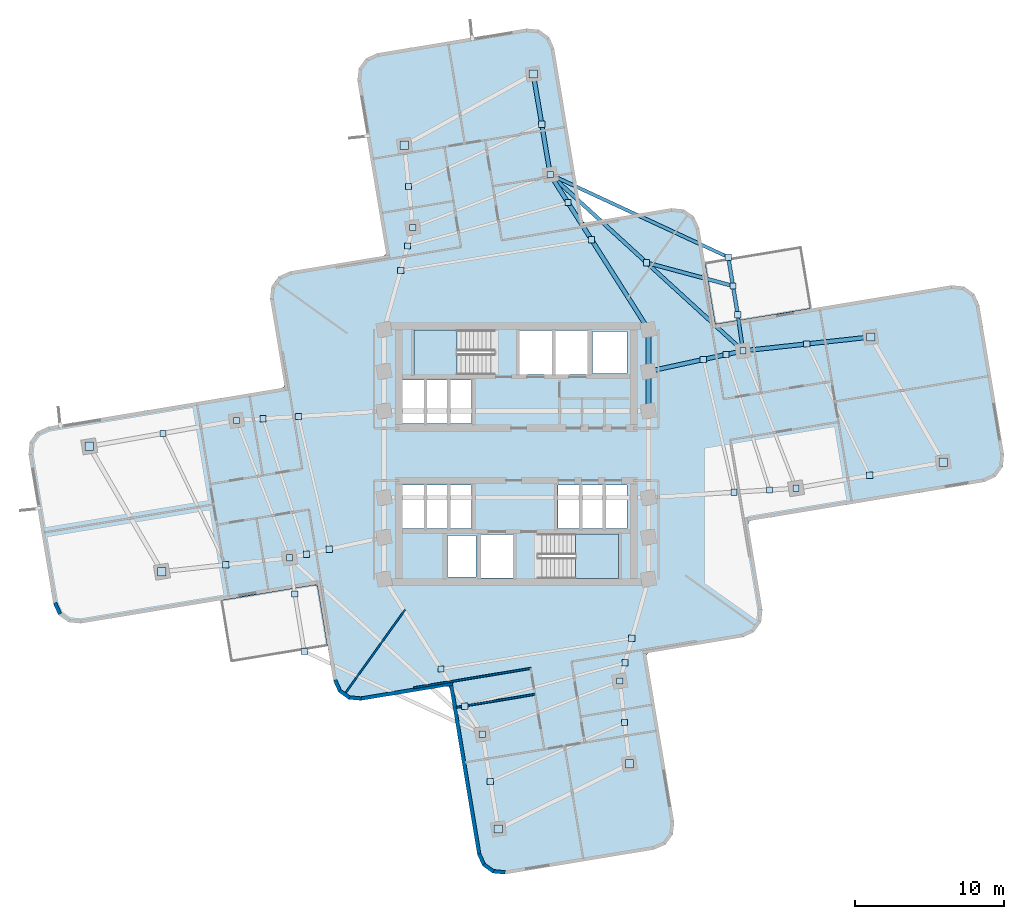
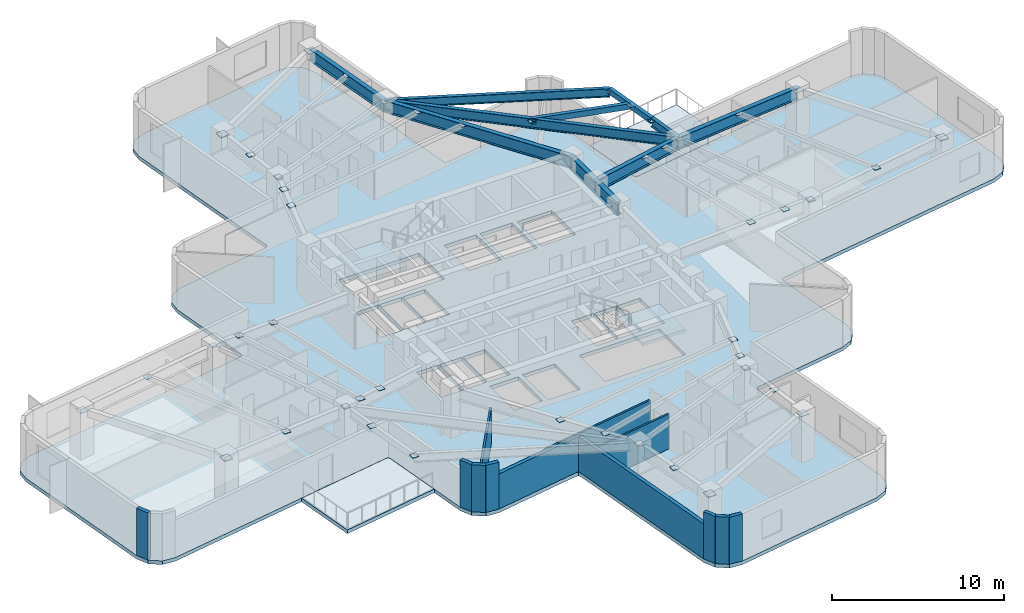
# One storey, part 2 of 9: 46 plates, 12 walls, 11 beams, 5 slabs, 2 elements without a shape of their own.
"""IFC4 building model written with IfcOpenShell, lengths in metres."""

import ifcopenshell
import ifcopenshell.guid

model = None  # the IFC model being written
_history = None  # IfcOwnerHistory: only IFC2X3 demands one
_inside = {}  # id of a spatial element -> (the spatial element, [elements in it])
_under = {}  # id of a project, library or spatial element -> (it, [spatial elements below it])
_declared = {}  # id of a project -> (the project, [libraries it declares])
_typed = {}  # id of a type object -> (the type object, [elements of that type])
_made_of = {}  # id of a material, layer set ... -> (it, [elements and type objects made of it])


def new_model(schema):
    """Start an empty IFC model of exactly this schema.

    Asked for "IFC4X3", IfcOpenShell would pick the latest addendum, in which some entities
    have other attributes; the version numbers below select the first issue.
    IFC2X3 requires an IfcOwnerHistory on every rooted entity: one is made here for all.
    """
    global model, _history
    if schema == "IFC4X3":
        model = ifcopenshell.file(schema_version=(4, 3, 0, 0))
    else:
        model = ifcopenshell.file(schema=schema)
    _inside.clear()
    _under.clear()
    _declared.clear()
    _typed.clear()
    _made_of.clear()
    _history = None
    if model.schema == "IFC2X3":
        org = make("IfcOrganization", Name="unknown")
        user = make(
            "IfcPersonAndOrganization",
            ThePerson=make("IfcPerson", FamilyName="unknown"),
            TheOrganization=org,
        )
        app = make(
            "IfcApplication",
            ApplicationDeveloper=org,
            Version="unknown",
            ApplicationFullName="unknown",
            ApplicationIdentifier="unknown",
        )
        _history = make(
            "IfcOwnerHistory",
            OwningUser=user,
            OwningApplication=app,
            ChangeAction="ADDED",
            CreationDate=0,
        )
    return model


def make(cls, **values):
    """One entity of the class cls with the attributes given. An attribute that is None is left unset."""
    return model.create_entity(
        cls, **{name: value for name, value in values.items() if value is not None}
    )


def rooted(cls, **values):
    """An entity with a GlobalId (a new one), such as an element, a storey or a relation."""
    return make(cls, GlobalId=ifcopenshell.guid.new(), OwnerHistory=_history, **values)


def si_unit(unit_type, name, prefix=None):
    """IfcSIUnit, for example si_unit("LENGTHUNIT", "METRE", prefix="MILLI")."""
    return make("IfcSIUnit", UnitType=unit_type, Prefix=prefix, Name=name)


def assignment(units):
    """IfcUnitAssignment: the units of a project."""
    return None if units is None else make("IfcUnitAssignment", Units=units)


def point(xyz):
    """IfcCartesianPoint."""
    return None if xyz is None else make("IfcCartesianPoint", Coordinates=xyz)


def direction(xyz):
    """IfcDirection."""
    return None if xyz is None else make("IfcDirection", DirectionRatios=xyz)


def frame(location, z_axis=None, x_axis=None):
    """IfcAxis2Placement3D, a coordinate frame: its origin and axes. An axis left out is left unset."""
    return make(
        "IfcAxis2Placement3D",
        Location=point(location),
        Axis=direction(z_axis),
        RefDirection=direction(x_axis),
    )


def frame_2d(location, x_axis=None):
    """IfcAxis2Placement2D, a coordinate frame in the plane: its origin and x axis."""
    return make(
        "IfcAxis2Placement2D", Location=point(location), RefDirection=direction(x_axis)
    )


def origin():
    """The frame at (0, 0, 0) with its axes left unset."""
    return frame((0.0, 0.0, 0.0))


def origin_2d():
    """The frame at (0, 0) in the plane with its x axis left unset."""
    return frame_2d((0.0, 0.0))


def place(relative_to, where):
    """IfcLocalPlacement: puts the frame where relative to a parent placement (None: the world)."""
    return make(
        "IfcLocalPlacement", PlacementRelTo=relative_to, RelativePlacement=where
    )


def context(
    kind, dimensions, precision=None, world=None, true_north=None, identifier=None
):
    """IfcGeometricRepresentationContext, for example the 3D "Model" context."""
    return make(
        "IfcGeometricRepresentationContext",
        ContextIdentifier=identifier,
        ContextType=kind,
        CoordinateSpaceDimension=dimensions,
        Precision=precision,
        WorldCoordinateSystem=world,
        TrueNorth=true_north,
    )


def subcontext(parent, identifier, kind, view, scale=None):
    """IfcGeometricRepresentationSubContext, for example "Body" below "Model"."""
    return make(
        "IfcGeometricRepresentationSubContext",
        ContextIdentifier=identifier,
        ContextType=kind,
        ParentContext=parent,
        TargetScale=scale,
        TargetView=view,
    )


def project(units=None, contexts=None):
    """IfcProject with its units and contexts."""
    return rooted(
        "IfcProject",
        Name="project",
        RepresentationContexts=contexts,
        UnitsInContext=assignment(units),
    )


def spatial(cls, under=None, at=None, **own):
    """A site, building, storey or space (cls), placed at a placement, below another one or the project."""
    s = rooted(cls, ObjectPlacement=at, **own)
    if under is not None:
        _under.setdefault(under.id(), (under, []))[1].append(s)
    return s


def polyline(points):
    """IfcPolyline through the points."""
    return make("IfcPolyline", Points=[point(p) for p in points])


def profile(cls, at=None, kind="AREA", **sizes):
    """A parametric profile (cls). Its sizes go by their IFC names, for example OverallWidth=200.0."""
    return make(cls, ProfileType=kind, Position=at, **sizes)


def rectangle(**sizes):
    """IfcRectangleProfileDef."""
    return profile("IfcRectangleProfileDef", **sizes)


def hollow_rectangle(**sizes):
    """IfcRectangleHollowProfileDef."""
    return profile("IfcRectangleHollowProfileDef", **sizes)


def i_section(**sizes):
    """IfcIShapeProfileDef."""
    return profile("IfcIShapeProfileDef", **sizes)


def outline(outer, holes=None, kind="AREA"):
    """IfcArbitraryClosedProfileDef: a profile drawn as a closed curve; with holes, ...WithVoids."""
    if holes is None:
        return make("IfcArbitraryClosedProfileDef", ProfileType=kind, OuterCurve=outer)
    return make(
        "IfcArbitraryProfileDefWithVoids",
        ProfileType=kind,
        OuterCurve=outer,
        InnerCurves=holes,
    )


def extrude(swept, where, along, depth):
    """IfcExtrudedAreaSolid: the profile swept, set in the frame where, extruded along a direction by depth."""
    return make(
        "IfcExtrudedAreaSolid",
        SweptArea=swept,
        Position=where,
        ExtrudedDirection=direction(along),
        Depth=depth,
    )


def shape(context_of_items, identifier, shape_type, items):
    """IfcShapeRepresentation: the items that make up one representation, for example the "Body"."""
    return make(
        "IfcShapeRepresentation",
        ContextOfItems=context_of_items,
        RepresentationIdentifier=identifier,
        RepresentationType=shape_type,
        Items=items,
    )


def material(Name=None, Category=None):
    """IfcMaterial."""
    return make("IfcMaterial", Name=Name, Category=Category)


def layer(
    of_material, thickness, ventilated=None, Name=None, Category=None, Priority=None
):
    """IfcMaterialLayer: one layer of a wall or slab, of a material (None: an air gap)."""
    return make(
        "IfcMaterialLayer",
        Material=of_material,
        LayerThickness=thickness,
        IsVentilated=ventilated,
        Name=Name,
        Category=Category,
        Priority=Priority,
    )


def layer_set(layers, Name=None):
    """IfcMaterialLayerSet."""
    return make("IfcMaterialLayerSet", MaterialLayers=layers, LayerSetName=Name)


def material_profile(
    of_material, cross_section, Name=None, Category=None, Priority=None
):
    """IfcMaterialProfile: a cross section and its material."""
    return make(
        "IfcMaterialProfile",
        Name=Name,
        Material=of_material,
        Profile=cross_section,
        Priority=Priority,
        Category=Category,
    )


def profile_set(profiles, Name=None, composite=None):
    """IfcMaterialProfileSet."""
    return make(
        "IfcMaterialProfileSet",
        Name=Name,
        MaterialProfiles=profiles,
        CompositeProfile=composite,
    )


def made_of(thing, what):
    """Note that an element or type object is made of a material, layer set ...; save() writes the relation."""
    if what is not None:
        _made_of.setdefault(what.id(), (what, []))[1].append(thing)
    return thing


def type_object(cls, material=None, **own):
    """A type object (cls), such as IfcWallType, which elements share."""
    return made_of(rooted(cls, **own), material)


def element(
    cls,
    number,
    at=None,
    inside=None,
    cuts=None,
    type_object=None,
    material=None,
    context=None,
    identifier="Body",
    shape_type=None,
    held_by="IfcProductDefinitionShape",
    body=None,
    shapes=None,
    **own,
):
    """One element of the class cls, such as IfcWall. Its Tag is "e" and its number.

    at: its placement. inside: the storey or other place that contains it. cuts: it is an
    opening in that element (IfcRelVoidsElement). A single representation is given by context,
    identifier, shape_type and body (its items); several are given by shapes. held_by: the class
    of the entity that holds the representations. save() writes the other relations.
    """
    e = rooted(cls, Tag="e%d" % number, ObjectPlacement=at, **own)
    if body is not None:
        shapes = [shape(context, identifier, shape_type, body)]
    if shapes is not None:
        e.Representation = make(held_by, Representations=shapes)
    if inside is not None:
        _inside.setdefault(inside.id(), (inside, []))[1].append(e)
    if cuts is not None:
        rooted(
            "IfcRelVoidsElement", RelatingBuildingElement=cuts, RelatedOpeningElement=e
        )
    if type_object is not None:
        _typed.setdefault(type_object.id(), (type_object, []))[1].append(e)
    return made_of(e, material)


def aggregate(whole, parts):
    """IfcRelAggregates: a whole, such as a stair, and the parts it consists of."""
    return rooted("IfcRelAggregates", RelatingObject=whole, RelatedObjects=parts)


def save(model, path):
    """Write the relations noted so far, then the file.

    IfcRelAggregates (storeys below a building ...), IfcRelContainedInSpatialStructure (elements
    in a storey), IfcRelDefinesByType, IfcRelAssociatesMaterial and IfcRelDeclares: one each for
    every whole, place, type object, material and project.
    """
    for whole, parts in _under.values():
        aggregate(whole, parts)
    for where, things in _inside.values():
        rooted(
            "IfcRelContainedInSpatialStructure",
            RelatedElements=things,
            RelatingStructure=where,
        )
    for kind, things in _typed.values():
        rooted("IfcRelDefinesByType", RelatedObjects=things, RelatingType=kind)
    for what, things in _made_of.values():
        rooted("IfcRelAssociatesMaterial", RelatedObjects=things, RelatingMaterial=what)
    for by, libraries in _declared.values():
        rooted("IfcRelDeclares", RelatingContext=by, RelatedDefinitions=libraries)
    model.write(path)


model = new_model("IFC4")

# Units and contexts
model_context = context("Model", 3, precision=1e-05, world=origin(), true_north=direction((0.0, 1.0)))
body_context = subcontext(model_context, "Body", "Model", "MODEL_VIEW")
ifc_project = project(units=[si_unit("LENGTHUNIT", "METRE"), si_unit("AREAUNIT", "SQUARE_METRE"), si_unit("VOLUMEUNIT", "CUBIC_METRE"), si_unit("PLANEANGLEUNIT", "RADIAN"), si_unit("MASSUNIT", "GRAM", prefix="KILO")], contexts=[model_context])

# Site, building, storey
site_placement = place(None, origin())
site = spatial("IfcSite", under=ifc_project, at=site_placement, CompositionType="ELEMENT")
building_placement = place(site_placement, origin())
building = spatial("IfcBuilding", under=site, at=building_placement, Name="Solmarez Civic Tower", CompositionType="ELEMENT")
storey_placement = place(building_placement, frame((0.0, 0.0, 92.8798828125)))
storey = spatial("IfcBuildingStorey", under=building, at=storey_placement, Name="L24", CompositionType="ELEMENT", Elevation=92.8798828125)

# Beams
ifc_material_1 = material(Name="Steel S355", Category="steel")
ifc_material_profile_1 = material_profile(ifc_material_1, i_section(OverallWidth=0.25390625, OverallDepth=0.68798828125, WebThickness=0.01318359375, FlangeThickness=0.02099609375, at=origin_2d()), Name="W27X102")
ifc_profile_set_1 = profile_set([ifc_material_profile_1], Name="Steel S355")
beam_type_1 = type_object("IfcBeamType", Name="BM-PR-W27X102", PredefinedType="BEAM", material=ifc_profile_set_1)
beam_1_placement = place(storey_placement, frame((15.175048828125, 6.927001953125, 2.99609375), z_axis=(-0.738053646973, 0.674742035292, 0.0), x_axis=(-0.674742035292, -0.738053646973, 0.0)))
element("IfcBeam", 1, at=beam_1_placement, inside=storey, type_object=beam_type_1, Name="L24 Primary Floor Beam BM-L24-BALC-NEC", PredefinedType="BEAM", context=body_context, shape_type="SweptSolid", body=[
    extrude(i_section(OverallWidth=0.25390625, OverallDepth=0.68798828125, WebThickness=0.01318359375, FlangeThickness=0.02099609375, at=origin_2d()), origin(), (0.0, 0.0, 1.0), 17.48388671875),
])
ifc_material_profile_2 = material_profile(ifc_material_1, i_section(OverallWidth=0.2919921875, OverallDepth=0.845947265625, WebThickness=0.015380859375, FlangeThickness=0.0244140625, at=origin_2d()), Name="W33X141")
ifc_profile_set_2 = profile_set([ifc_material_profile_2], Name="Steel S355")
beam_type_2 = type_object("IfcBeamType", Name="BM-PR-W33X141", PredefinedType="BEAM", material=ifc_profile_set_2)
beam_2_placement = place(storey_placement, frame((8.85009765625, 5.550048828125, 2.917236328125), z_axis=(0.977113347202, 0.212719314402, 0.0), x_axis=(-0.212719314402, 0.977113347202, 0.0)))
element("IfcBeam", 2, at=beam_2_placement, inside=storey, type_object=beam_type_2, Name="L24 Primary Floor Beam BM-L24-EA-R1B", PredefinedType="BEAM", context=body_context, shape_type="SweptSolid", body=[
    extrude(i_section(OverallWidth=0.2919921875, OverallDepth=0.845947265625, WebThickness=0.015380859375, FlangeThickness=0.0244140625, at=origin_2d()), origin(), (0.0, 0.0, 1.0), 6.47314453125),
])
beam_3_placement = place(storey_placement, frame((15.175048828125, 6.927001953125, 2.917236328125), z_axis=(0.994196782435, 0.107576753045, 0.0), x_axis=(-0.107576753045, 0.994196782435, 0.0)))
element("IfcBeam", 3, at=beam_3_placement, inside=storey, type_object=beam_type_2, Name="L24 Primary Floor Beam BM-L24-EA-R2B", PredefinedType="BEAM", context=body_context, shape_type="SweptSolid", body=[
    extrude(i_section(OverallWidth=0.2919921875, OverallDepth=0.845947265625, WebThickness=0.015380859375, FlangeThickness=0.0244140625, at=origin_2d()), origin(), (0.0, 0.0, 1.0), 8.58984375),
])
beam_4_placement = place(storey_placement, frame((8.85009765625, 8.35009765625, 2.917236328125), z_axis=(-0.535568299099, 0.84449191648, 0.0), x_axis=(-0.84449191648, -0.535568299099, 0.0)))
element("IfcBeam", 4, at=beam_4_placement, inside=storey, type_object=beam_type_2, Name="L24 Primary Floor Beam BM-L24-NA-R1A", PredefinedType="BEAM", context=body_context, shape_type="SweptSolid", body=[
    extrude(i_section(OverallWidth=0.2919921875, OverallDepth=0.845947265625, WebThickness=0.015380859375, FlangeThickness=0.0244140625, at=origin_2d()), origin(), (0.0, 0.0, 1.0), 12.284423828125),
])
beam_5_placement = place(storey_placement, frame((2.27099609375, 18.72412109375, 2.917236328125), z_axis=(-0.165813708215, 0.986157094062, 0.0), x_axis=(-0.986157094062, -0.165813708215, 0.0)))
element("IfcBeam", 5, at=beam_5_placement, inside=storey, type_object=beam_type_2, Name="L24 Primary Floor Beam BM-L24-NA-R2A", PredefinedType="BEAM", context=body_context, shape_type="SweptSolid", body=[
    extrude(i_section(OverallWidth=0.2919921875, OverallDepth=0.845947265625, WebThickness=0.015380859375, FlangeThickness=0.0244140625, at=origin_2d()), origin(), (0.0, 0.0, 1.0), 6.827392578125),
])
ifc_material_profile_3 = material_profile(ifc_material_1, i_section(OverallWidth=0.306884765625, OverallDepth=0.927001953125, WebThickness=0.019287109375, FlangeThickness=0.031982421875, at=origin_2d()), Name="W36X194")
ifc_profile_set_3 = profile_set([ifc_material_profile_3], Name="Steel S355")
beam_type_3 = type_object("IfcBeamType", Name="BM-PR-W36X194", PredefinedType="BEAM", material=ifc_profile_set_3)
beam_6_placement = place(storey_placement, frame((8.85009765625, 2.89990234375, 2.877197265625), z_axis=(0.0, 1.0, 0.0), x_axis=(-1.0, 0.0, 0.0)))
element("IfcBeam", 6, at=beam_6_placement, inside=storey, type_object=beam_type_3, Name="L24 Primary Floor Beam BM-L24-HC7-HC8", PredefinedType="BEAM", context=body_context, shape_type="SweptSolid", body=[
    extrude(i_section(OverallWidth=0.306884765625, OverallDepth=0.927001953125, WebThickness=0.019287109375, FlangeThickness=0.031982421875, at=origin_2d()), origin(), (0.0, 0.0, 1.0), 2.650146484375),
])
beam_7_placement = place(storey_placement, frame((8.85009765625, 5.550048828125, 2.877197265625), z_axis=(0.0, 1.0, 0.0), x_axis=(-1.0, 0.0, 0.0)))
element("IfcBeam", 7, at=beam_7_placement, inside=storey, type_object=beam_type_3, Name="L24 Primary Floor Beam BM-L24-HC8-HC11", PredefinedType="BEAM", context=body_context, shape_type="SweptSolid", body=[
    extrude(i_section(OverallWidth=0.306884765625, OverallDepth=0.927001953125, WebThickness=0.019287109375, FlangeThickness=0.031982421875, at=origin_2d()), origin(), (0.0, 0.0, 1.0), 2.800048828125),
])
ifc_material_profile_4 = material_profile(ifc_material_1, hollow_rectangle(XDim=0.25, YDim=0.39990234375, WallThickness=0.01611328125, at=origin_2d()), Name="HSS400X250X16")
ifc_profile_set_4 = profile_set([ifc_material_profile_4], Name="Steel S355")
beam_type_4 = type_object("IfcBeamType", Name="BM-SP-HSS400X250", PredefinedType="SPANDREL", material=ifc_profile_set_4)
beam_8_placement = place(storey_placement, frame((14.822998046875, 9.345947265625, 3.14013671875), z_axis=(-0.163302678934, 0.986576015851, 0.0), x_axis=(-0.986576015851, -0.163302678934, 0.0)))
element("IfcBeam", 8, at=beam_8_placement, inside=storey, type_object=beam_type_4, Name="L24 Perimeter Spandrel Beam BM-L24-BALC-NEE", PredefinedType="SPANDREL", context=body_context, shape_type="SweptSolid", body=[
    extrude(hollow_rectangle(XDim=0.25, YDim=0.39990234375, WallThickness=0.01611328125, at=origin_2d()), origin(), (0.0, 0.0, 1.0), 3.900390625),
])
beam_9_placement = place(storey_placement, frame((8.722900390625, 12.824951171875, 3.14013671875), z_axis=(0.965689340912, -0.259700013185, 0.0), x_axis=(0.259700013185, 0.965689340912, 0.0)))
element("IfcBeam", 9, at=beam_9_placement, inside=storey, type_object=beam_type_4, Name="L24 Perimeter Spandrel Beam BM-L24-BALC-NEM", PredefinedType="SPANDREL", context=body_context, shape_type="SweptSolid", body=[
    extrude(hollow_rectangle(XDim=0.25, YDim=0.39990234375, WallThickness=0.01611328125, at=origin_2d()), origin(), (0.0, 0.0, 1.0), 5.9873046875),
])
ifc_material_profile_5 = material_profile(ifc_material_1, i_section(OverallWidth=0.22900390625, OverallDepth=0.612060546875, WebThickness=0.011962890625, FlangeThickness=0.01953125, at=origin_2d()), Name="W24X84")
ifc_profile_set_5 = profile_set([ifc_material_profile_5], Name="Steel S355")
beam_type_5 = type_object("IfcBeamType", Name="BM-SP-W24X84", PredefinedType="SPANDREL", material=ifc_profile_set_5)
beam_10_placement = place(storey_placement, frame((15.175048828125, 6.927001953125, 3.0341796875), z_axis=(-0.144021647449, 0.989574537398, 0.0), x_axis=(-0.989574537398, -0.144021647449, 0.0)))
element("IfcBeam", 10, at=beam_10_placement, inside=storey, type_object=beam_type_5, Name="L24 Perimeter Spandrel Beam BM-L24-BALC-NE1", PredefinedType="SPANDREL", context=body_context, shape_type="SweptSolid", body=[
    extrude(i_section(OverallWidth=0.22900390625, OverallDepth=0.612060546875, WebThickness=0.011962890625, FlangeThickness=0.01953125, at=origin_2d()), origin(), (0.0, 0.0, 1.0), 2.4443359375),
])
beam_11_placement = place(storey_placement, frame((2.27099609375, 18.72412109375, 3.0341796875), z_axis=(0.907065750802, -0.420988982899, 0.0), x_axis=(0.420988982899, 0.907065750802, 0.0)))
element("IfcBeam", 11, at=beam_11_placement, inside=storey, type_object=beam_type_5, Name="L24 Perimeter Spandrel Beam BM-L24-BALC-NE2", PredefinedType="SPANDREL", context=body_context, shape_type="SweptSolid", body=[
    extrude(i_section(OverallWidth=0.22900390625, OverallDepth=0.612060546875, WebThickness=0.011962890625, FlangeThickness=0.01953125, at=origin_2d()), origin(), (0.0, 0.0, 1.0), 13.1357421875),
])

# Plates
ifc_layer_1 = layer(ifc_material_1, 0.02392578125)
ifc_layer_set_1 = layer_set([ifc_layer_1], Name="Steel S355")
plate_type_1 = type_object("IfcPlateType", Name="PLT-CAP-380", PredefinedType="USERDEFINED", material=ifc_layer_set_1)
for number, where, z_axis, x_axis, name in (
    (12, (18.72412109375, -2.27099609375, 3.17822265625), (0.0, 0.0, 1.0), (1.0, 0.0, 0.0), "Steel Member End Cap Plate CAP-BM-L24-EA-T1-0"),
    (13, (15.175048828125, 6.927001953125, 3.17822265625), (0.0, 0.0, 1.0), (1.0, 0.0, 0.0), "Steel Member End Cap Plate CAP-BM-L24-EA-T1-1"),
    (14, (23.64990234375, -1.402099609375, 3.17822265625), (0.0, 0.0, 1.0), (1.0, 0.0, 0.0), "Steel Member End Cap Plate CAP-JS-L24-EA-M2-0"),
    (15, (19.445068359375, 7.388916015625, 3.17822265625), (0.0, 0.0, 1.0), (1.0, 0.0, 0.0), "Steel Member End Cap Plate CAP-JS-L24-EA-M2-1"),
    (16, (14.576904296875, -2.534912109375, 3.17822265625), (0.0, 0.0, 1.0), (1.0, 0.0, 0.0), "Steel Member End Cap Plate CAP-JS-L24-EA-M11-0"),
    (17, (12.51806640625, 6.34912109375, 3.17822265625), (0.0, 0.0, 1.0), (1.0, 0.0, 0.0), "Steel Member End Cap Plate CAP-JS-L24-EA-M11-1"),
    (18, (16.947021484375, -2.384033203125, 3.17822265625), (0.0, 0.0, 1.0), (1.0, 0.0, 0.0), "Steel Member End Cap Plate CAP-JS-L24-EA-M12-0"),
    (19, (14.037109375, 6.678955078125, 3.17822265625), (0.0, 0.0, 1.0), (1.0, 0.0, 0.0), "Steel Member End Cap Plate CAP-JS-L24-EA-M12-1"),
    (20, (2.27099609375, 18.72412109375, 3.17822265625), (0.0, 0.0, 1.0), (1.0, 0.0, 0.0), "Steel Member End Cap Plate CAP-BM-L24-NA-T1-0"),
    (21, (-6.927001953125, 15.175048828125, 3.17822265625), (0.0, 0.0, 1.0), (1.0, 0.0, 0.0), "Steel Member End Cap Plate CAP-BM-L24-NA-T1-1"),
    (22, (1.705078125, 22.090087890625, 3.17822265625), (0.0, 0.0, 1.0), (1.0, 0.0, 0.0), "Steel Member End Cap Plate CAP-JS-L24-NA-M2-0"),
    (23, (-7.2080078125, 17.927001953125, 3.17822265625), (0.0, 0.0, 1.0), (1.0, 0.0, 0.0), "Steel Member End Cap Plate CAP-JS-L24-NA-M2-1"),
    (24, (5.033935546875, 14.366943359375, 3.17822265625), (0.0, 0.0, 1.0), (1.0, 0.0, 0.0), "Steel Member End Cap Plate CAP-JS-L24-NA-M11-0"),
    (25, (-7.735107421875, 12.30908203125, 3.17822265625), (0.0, 0.0, 1.0), (1.0, 0.0, 0.0), "Steel Member End Cap Plate CAP-JS-L24-NA-M11-1"),
    (26, (3.455078125, 16.85693359375, 3.17822265625), (0.0, 0.0, 1.0), (1.0, 0.0, 0.0), "Steel Member End Cap Plate CAP-JS-L24-NA-M12-0"),
    (27, (-7.27294921875, 13.947021484375, 3.17822265625), (0.0, 0.0, 1.0), (1.0, 0.0, 0.0), "Steel Member End Cap Plate CAP-JS-L24-NA-M12-1"),
    (28, (-18.72412109375, 2.27099609375, 3.17822265625), (0.0, 0.0, 1.0), (1.0, 0.0, 0.0), "Steel Member End Cap Plate CAP-BM-L24-WA-T1-0"),
    (29, (-15.175048828125, -6.927001953125, 3.17822265625), (0.0, 0.0, 1.0), (1.0, 0.0, 0.0), "Steel Member End Cap Plate CAP-BM-L24-WA-T1-1"),
    (30, (-23.64990234375, 1.402099609375, 3.17822265625), (0.0, 0.0, 1.0), (1.0, 0.0, 0.0), "Steel Member End Cap Plate CAP-JS-L24-WA-M2-0"),
    (31, (-19.445068359375, -7.388916015625, 3.17822265625), (0.0, 0.0, 1.0), (1.0, 0.0, 0.0), "Steel Member End Cap Plate CAP-JS-L24-WA-M2-1"),
    (32, (-14.576904296875, 2.534912109375, 3.17822265625), (0.0, 0.0, 1.0), (1.0, 0.0, 0.0), "Steel Member End Cap Plate CAP-JS-L24-WA-M11-0"),
    (33, (-12.51806640625, -6.34912109375, 3.17822265625), (0.0, 0.0, 1.0), (1.0, 0.0, 0.0), "Steel Member End Cap Plate CAP-JS-L24-WA-M11-1"),
    (34, (-16.947021484375, 2.384033203125, 3.17822265625), (0.0, 0.0, 1.0), (1.0, 0.0, 0.0), "Steel Member End Cap Plate CAP-JS-L24-WA-M12-0"),
    (35, (-14.037109375, -6.678955078125, 3.17822265625), (0.0, 0.0, 1.0), (1.0, 0.0, 0.0), "Steel Member End Cap Plate CAP-JS-L24-WA-M12-1"),
    (36, (-2.27099609375, -18.72412109375, 3.17822265625), (0.0, 0.0, 1.0), (1.0, 0.0, 0.0), "Steel Member End Cap Plate CAP-BM-L24-SA-T1-0"),
    (37, (6.927001953125, -15.175048828125, 3.17822265625), (0.0, 0.0, 1.0), (1.0, 0.0, 0.0), "Steel Member End Cap Plate CAP-BM-L24-SA-T1-1"),
    (38, (-1.73291015625, -21.89892578125, 3.17822265625), (0.0, 0.0, 1.0), (1.0, 0.0, 0.0), "Steel Member End Cap Plate CAP-JS-L24-SA-M2-0"),
    (39, (7.25, -17.944091796875, 3.17822265625), (0.0, 0.0, 1.0), (1.0, 0.0, 0.0), "Steel Member End Cap Plate CAP-JS-L24-SA-M2-1"),
    (40, (-5.033935546875, -14.366943359375, 3.17822265625), (0.0, 0.0, 1.0), (1.0, 0.0, 0.0), "Steel Member End Cap Plate CAP-JS-L24-SA-M11-0"),
    (41, (7.735107421875, -12.30908203125, 3.17822265625), (0.0, 0.0, 1.0), (1.0, 0.0, 0.0), "Steel Member End Cap Plate CAP-JS-L24-SA-M11-1"),
    (42, (-3.455078125, -16.85693359375, 3.17822265625), (0.0, 0.0, 1.0), (1.0, 0.0, 0.0), "Steel Member End Cap Plate CAP-JS-L24-SA-M12-0"),
    (43, (7.27294921875, -13.947021484375, 3.17822265625), (0.0, 0.0, 1.0), (1.0, 0.0, 0.0), "Steel Member End Cap Plate CAP-JS-L24-SA-M12-1"),
    (44, (14.822998046875, 9.345947265625, 3.128173828125), (0.0, 0.0, 1.0), (1.0, 0.0, 0.0), "Steel Member End Cap Plate CAP-BM-L24-BALC-NEE-0"),
    (45, (14.18603515625, 13.194091796875, 3.128173828125), (0.0, 0.0, 1.0), (1.0, 0.0, 0.0), "Steel Member End Cap Plate CAP-BM-L24-BALC-NEE-1"),
    (46, (8.722900390625, 12.824951171875, 3.128173828125), (0.0, 0.0, 1.0), (1.0, 0.0, 0.0), "Steel Member End Cap Plate CAP-BM-L24-BALC-NEM-0"),
    (47, (14.5048828125, 11.27001953125, 3.128173828125), (0.0, 0.0, 1.0), (1.0, 0.0, 0.0), "Steel Member End Cap Plate CAP-BM-L24-BALC-NEM-1"),
    (48, (-14.822998046875, -9.345947265625, 3.128173828125), (0.0, 0.0, 1.0), (1.0, 0.0, 0.0), "Steel Member End Cap Plate CAP-BM-L24-BALC-SWE-0"),
    (49, (-14.18603515625, -13.194091796875, 3.128173828125), (0.0, 0.0, 1.0), (1.0, 0.0, 0.0), "Steel Member End Cap Plate CAP-BM-L24-BALC-SWE-1"),
):
    element("IfcPlate", number, at=place(storey_placement, frame(where, z_axis=z_axis, x_axis=x_axis)), inside=storey, type_object=plate_type_1, Name=name, ObjectType="CAP_PLATE", PredefinedType="USERDEFINED", context=body_context, shape_type="SweptSolid", body=[
        extrude(rectangle(XDim=0.419921875, YDim=0.419921875, at=origin_2d()), origin(), (0.0, 0.0, 1.0), 0.02392578125),
    ])
ifc_layer_2 = layer(ifc_material_1, 0.028076171875)
ifc_layer_set_2 = layer_set([ifc_layer_2], Name="Steel S355")
plate_type_2 = type_object("IfcPlateType", Name="PLT-CAP-540", PredefinedType="USERDEFINED", material=ifc_layer_set_2)
for number, where, z_axis, x_axis, name in (
    (50, (28.575927734375, -0.532958984375, 3.076171875), (0.0, 0.0, 1.0), (1.0, 0.0, 0.0), "Steel Member End Cap Plate CAP-BM-L24-EA-T2-0"),
    (51, (23.715087890625, 7.85107421875, 3.076171875), (0.0, 0.0, 1.0), (1.0, 0.0, 0.0), "Steel Member End Cap Plate CAP-BM-L24-EA-T2-1"),
    (52, (1.138916015625, 25.45703125, 3.076171875), (0.0, 0.0, 1.0), (1.0, 0.0, 0.0), "Steel Member End Cap Plate CAP-BM-L24-NA-T2-0"),
    (53, (-7.489013671875, 20.678955078125, 3.076171875), (0.0, 0.0, 1.0), (1.0, 0.0, 0.0), "Steel Member End Cap Plate CAP-BM-L24-NA-T2-1"),
    (54, (-28.575927734375, 0.532958984375, 3.076171875), (0.0, 0.0, 1.0), (1.0, 0.0, 0.0), "Steel Member End Cap Plate CAP-BM-L24-WA-T2-0"),
    (55, (-23.715087890625, -7.85107421875, 3.076171875), (0.0, 0.0, 1.0), (1.0, 0.0, 0.0), "Steel Member End Cap Plate CAP-BM-L24-WA-T2-1"),
    (56, (-1.195068359375, -25.073974609375, 3.076171875), (0.0, 0.0, 1.0), (1.0, 0.0, 0.0), "Steel Member End Cap Plate CAP-BM-L24-SA-T2-0"),
    (57, (7.573974609375, -20.714111328125, 3.076171875), (0.0, 0.0, 1.0), (1.0, 0.0, 0.0), "Steel Member End Cap Plate CAP-BM-L24-SA-T2-1"),
):
    element("IfcPlate", number, at=place(storey_placement, frame(where, z_axis=z_axis, x_axis=x_axis)), inside=storey, type_object=plate_type_2, Name=name, ObjectType="CAP_PLATE", PredefinedType="USERDEFINED", context=body_context, shape_type="SweptSolid", body=[
        extrude(rectangle(XDim=0.56005859375, YDim=0.56005859375, at=origin_2d()), origin(), (0.0, 0.0, 1.0), 0.028076171875),
    ])

# Stair, slab
ifc_material_2 = material(Name="Concrete C50/60", Category="concrete")
stair_type = type_object("IfcStairType", Name="STAIR-DOGLEG-140W-20R-1800", PredefinedType="HALF_TURN_STAIR", material=ifc_material_2)
stair_1_placement = place(storey_placement, origin())
stair_1 = element("IfcStair", 58, at=stair_1_placement, inside=storey, type_object=stair_type, Name="L24 North Core Protected Exit Stair ST-1", PredefinedType="HALF_TURN_STAIR")
ifc_layer_3 = layer(ifc_material_2, 0.199951171875)
ifc_layer_set_3 = layer_set([ifc_layer_3], Name="Concrete C50/60")
slab_type_1 = type_object("IfcSlabType", Name="SLAB-LANDING-200", PredefinedType="LANDING", material=ifc_layer_set_3)
slab_1_placement = place(storey_placement, frame((0.0, 0.0, 1.60009765625)))
slab_1 = element("IfcSlab", 59, at=slab_1_placement, type_object=slab_type_1, Name="ST-1 landing 1", PredefinedType="LANDING", context=body_context, shape_type="SweptSolid", body=[
    extrude(outline(polyline([(-3.969970703125, 8.320068359375), (-6.85009765625, 8.320068359375), (-6.85009765625, 5.320068359375), (-3.969970703125, 5.320068359375), (-3.969970703125, 8.320068359375)])), origin(), (0.0, 0.0, 1.0), 0.199951171875),
])
aggregate(stair_1, [slab_1])

stair_2_placement = place(storey_placement, origin())
stair_2 = element("IfcStair", 60, at=stair_2_placement, inside=storey, type_object=stair_type, Name="L24 South Core Protected Exit Stair ST-2", PredefinedType="HALF_TURN_STAIR")
slab_2_placement = place(storey_placement, frame((0.0, 0.0, 1.60009765625)))
slab_2 = element("IfcSlab", 61, at=slab_2_placement, type_object=slab_type_1, Name="ST-2 landing 1", PredefinedType="LANDING", context=body_context, shape_type="SweptSolid", body=[
    extrude(outline(polyline([(3.969970703125, -8.320068359375), (6.85009765625, -8.320068359375), (6.85009765625, -5.320068359375), (3.969970703125, -5.320068359375), (3.969970703125, -8.320068359375)])), origin(), (0.0, 0.0, 1.0), 0.199951171875),
])
aggregate(stair_2, [slab_2])

# Slabs
ifc_layer_4 = layer(ifc_material_2, 0.260009765625)
ifc_layer_set_4 = layer_set([ifc_layer_4], Name="Concrete C50/60")
slab_type_2 = type_object("IfcSlabType", Name="SLAB-TOWER-260", PredefinedType="FLOOR", material=ifc_layer_set_4)
slab_3_placement = place(storey_placement, frame((0.0, 0.0, -0.259765625)))
element("IfcSlab", 62, at=slab_3_placement, inside=storey, type_object=slab_type_2, Name="L24 Structural Slab", PredefinedType="FLOOR", context=body_context, shape_type="SweptSolid", body=[
    extrude(outline(polyline([(-13.27490234375, -8.89794921875), (-12.239990234375, -15.153076171875), (-11.89697265625, -15.906982421875), (-11.22412109375, -16.388916015625), (-10.39990234375, -16.469970703125), (-4.677978515625, -15.52294921875), (-4.507080078125, -15.5390625), (-4.43603515625, -15.696044921875), (-2.60009765625, -26.783935546875), (-2.258056640625, -27.5390625), (-1.5849609375, -28.02099609375), (-0.760009765625, -28.10205078125), (9.242919921875, -26.445068359375), (9.998046875, -26.10302734375), (10.47998046875, -25.429931640625), (10.56103515625, -24.60595703125), (8.72509765625, -13.51708984375), (8.741943359375, -13.345947265625), (8.89794921875, -13.27490234375), (15.153076171875, -12.239990234375), (15.906982421875, -11.89697265625), (16.388916015625, -11.22412109375), (16.469970703125, -10.39990234375), (15.52294921875, -4.677978515625), (15.5390625, -4.507080078125), (15.696044921875, -4.43603515625), (31.322998046875, -1.84912109375), (32.076904296875, -1.507080078125), (32.55908203125, -0.8330078125), (32.639892578125, -0.009033203125), (30.98388671875, 9.9951171875), (30.64208984375, 10.7490234375), (29.968017578125, 11.23095703125), (29.14404296875, 11.31201171875), (13.51708984375, 8.72509765625), (13.345947265625, 8.741943359375), (13.27490234375, 8.89794921875), (12.239990234375, 15.153076171875), (11.89697265625, 15.906982421875), (11.22412109375, 16.388916015625), (10.39990234375, 16.469970703125), (4.677978515625, 15.52294921875), (4.507080078125, 15.5390625), (4.43603515625, 15.696044921875), (2.534912109375, 27.178955078125), (2.193115234375, 27.93310546875), (1.51904296875, 28.4150390625), (0.695068359375, 28.49609375), (-9.30908203125, 26.840087890625), (-10.06298828125, 26.498046875), (-10.544921875, 25.823974609375), (-10.6259765625, 25.0), (-8.72509765625, 13.51708984375), (-8.741943359375, 13.345947265625), (-8.89794921875, 13.27490234375), (-15.153076171875, 12.239990234375), (-15.906982421875, 11.89697265625), (-16.388916015625, 11.22412109375), (-16.469970703125, 10.39990234375), (-15.52294921875, 4.677978515625), (-15.5390625, 4.507080078125), (-15.696044921875, 4.43603515625), (-31.322998046875, 1.84912109375), (-32.076904296875, 1.507080078125), (-32.55908203125, 0.8330078125), (-32.639892578125, 0.009033203125), (-30.98388671875, -9.9951171875), (-30.64208984375, -10.7490234375), (-29.968017578125, -11.23095703125), (-29.14404296875, -11.31201171875), (-13.51708984375, -8.72509765625), (-13.345947265625, -8.741943359375), (-13.27490234375, -8.89794921875)]), holes=[polyline([(-1.449951171875, 8.320068359375), (-6.85009765625, 8.320068359375), (-6.85009765625, 5.320068359375), (-1.449951171875, 5.320068359375), (-1.449951171875, 8.320068359375)]), polyline([(1.449951171875, -8.320068359375), (6.85009765625, -8.320068359375), (6.85009765625, -5.320068359375), (1.449951171875, -5.320068359375), (1.449951171875, -8.320068359375)]), polyline([(0.219970703125, 5.360107421875), (2.3798828125, 5.360107421875), (2.3798828125, 8.280029296875), (0.219970703125, 8.280029296875), (0.219970703125, 5.360107421875)]), polyline([(2.6201171875, 5.360107421875), (4.780029296875, 5.360107421875), (4.780029296875, 8.280029296875), (2.6201171875, 8.280029296875), (2.6201171875, 5.360107421875)]), polyline([(-2.3798828125, -8.280029296875), (-0.219970703125, -8.280029296875), (-0.219970703125, -5.360107421875), (-2.3798828125, -5.360107421875), (-2.3798828125, -8.280029296875)]), polyline([(2.800048828125, -4.9599609375), (4.280029296875, -4.9599609375), (4.280029296875, -2.06005859375), (2.800048828125, -2.06005859375), (2.800048828125, -4.9599609375)]), polyline([(4.360107421875, -4.9599609375), (5.840087890625, -4.9599609375), (5.840087890625, -2.06005859375), (4.360107421875, -2.06005859375), (4.360107421875, -4.9599609375)]), polyline([(5.919921875, -4.9599609375), (7.39990234375, -4.9599609375), (7.39990234375, -2.06005859375), (5.919921875, -2.06005859375), (5.919921875, -4.9599609375)]), polyline([(-7.60009765625, -4.9599609375), (-6.1201171875, -4.9599609375), (-6.1201171875, -2.06005859375), (-7.60009765625, -2.06005859375), (-7.60009765625, -4.9599609375)]), polyline([(-6.0400390625, -4.9599609375), (-4.56005859375, -4.9599609375), (-4.56005859375, -2.06005859375), (-6.0400390625, -2.06005859375), (-6.0400390625, -4.9599609375)]), polyline([(-4.47998046875, -4.9599609375), (-3.0, -4.9599609375), (-3.0, -2.06005859375), (-4.47998046875, -2.06005859375), (-4.47998046875, -4.9599609375)]), polyline([(-7.60009765625, 2.06005859375), (-6.1201171875, 2.06005859375), (-6.1201171875, 4.9599609375), (-7.60009765625, 4.9599609375), (-7.60009765625, 2.06005859375)]), polyline([(-6.0400390625, 2.06005859375), (-4.56005859375, 2.06005859375), (-4.56005859375, 4.9599609375), (-6.0400390625, 4.9599609375), (-6.0400390625, 2.06005859375)]), polyline([(-4.47998046875, 2.06005859375), (-3.0, 2.06005859375), (-3.0, 4.9599609375), (-4.47998046875, 4.9599609375), (-4.47998046875, 2.06005859375)]), polyline([(5.10009765625, 5.419921875), (7.39990234375, 5.419921875), (7.39990234375, 8.219970703125), (5.10009765625, 8.219970703125), (5.10009765625, 5.419921875)]), polyline([(-4.60009765625, -8.219970703125), (-2.699951171875, -8.219970703125), (-2.699951171875, -5.419921875), (-4.60009765625, -5.419921875), (-4.60009765625, -8.219970703125)])]), origin(), (0.0, 0.0, 1.0), 0.259765625),
])
slab_4_placement = place(storey_placement, frame((0.0, 0.0, -0.259765625)))
element("IfcSlab", 63, at=slab_4_placement, inside=storey, type_object=slab_type_2, Name="L24 Re-entrant Corner Winter-Garden Balcony NE", PredefinedType="FLOOR", context=body_context, shape_type="SweptSolid", body=[
    extrude(outline(polyline([(12.625, 12.833984375), (13.277099609375, 8.89892578125), (13.346923828125, 8.743896484375), (13.51708984375, 8.72705078125), (19.77099609375, 9.761962890625), (19.0849609375, 13.904052734375), (12.625, 12.833984375)])), origin(), (0.0, 0.0, 1.0), 0.259765625),
])
slab_5_placement = place(storey_placement, frame((0.0, 0.0, -0.259765625)))
element("IfcSlab", 64, at=slab_5_placement, inside=storey, type_object=slab_type_2, Name="L24 Re-entrant Corner Winter-Garden Balcony SW", PredefinedType="FLOOR", context=body_context, shape_type="SweptSolid", body=[
    extrude(outline(polyline([(-12.625, -12.833984375), (-13.277099609375, -8.89892578125), (-13.346923828125, -8.743896484375), (-13.51708984375, -8.72705078125), (-19.77099609375, -9.761962890625), (-19.0849609375, -13.904052734375), (-12.625, -12.833984375)])), origin(), (0.0, 0.0, 1.0), 0.259765625),
])

# Walls
ifc_material_3 = material(Name="Precast concrete C40/50", Category="concrete")
ifc_layer_5 = layer(ifc_material_3, 0.239990234375)
ifc_layer_set_5 = layer_set([ifc_layer_5], Name="Precast concrete C40/50")
wall_type_1 = type_object("IfcWallType", Name="WALL-EXT-240", PredefinedType="SOLIDWALL", material=ifc_layer_set_5)
wall_1_placement = place(storey_placement, frame((-30.535888671875, -10.693115234375, 0.0), z_axis=(0.0, 0.0, 1.0), x_axis=(-0.411720575173, 0.911310138196, 0.0)))
element("IfcWall", 65, at=wall_1_placement, inside=storey, type_object=wall_type_1, Name="L24 Exterior Precast Wall 5", PredefinedType="SOLIDWALL", context=body_context, shape_type="SweptSolid", body=[
    extrude(rectangle(XDim=0.830810546875, YDim=0.239990234375, at=frame_2d((0.41552734375, 0.0))), origin(), (0.0, 0.0, 1.0), 3.340087890625),
])
wall_2_placement = place(storey_placement, frame((-0.739990234375, -27.98291015625, 0.0), z_axis=(0.0, 0.0, 1.0), x_axis=(-0.995247551264, 0.097377162125, 0.0)))
element("IfcWall", 66, at=wall_2_placement, inside=storey, type_object=wall_type_1, Name="L24 Exterior Precast Wall 61", PredefinedType="SOLIDWALL", context=body_context, shape_type="SweptSolid", body=[
    extrude(rectangle(XDim=0.829833984375, YDim=0.239990234375, at=frame_2d((0.4150390625, 0.0))), origin(), (0.0, 0.0, 1.0), 3.340087890625),
])
wall_3_placement = place(storey_placement, frame((-1.52099609375, -27.9189453125, 0.0), z_axis=(0.0, 0.0, 1.0), x_axis=(-0.812677327872, 0.582713961359, 0.0)))
element("IfcWall", 67, at=wall_3_placement, inside=storey, type_object=wall_type_1, Name="L24 Exterior Precast Wall 62", PredefinedType="SOLIDWALL", context=body_context, shape_type="SweptSolid", body=[
    extrude(rectangle(XDim=0.813232421875, YDim=0.239990234375, at=frame_2d((0.40673828125, 0.0))), origin(), (0.0, 0.0, 1.0), 3.340087890625),
])
wall_4_placement = place(storey_placement, frame((-2.152099609375, -27.48291015625, 0.0), z_axis=(0.0, 0.0, 1.0), x_axis=(-0.412806551479, 0.910818725684, 0.0)))
element("IfcWall", 68, at=wall_4_placement, inside=storey, type_object=wall_type_1, Name="L24 Exterior Precast Wall 63", PredefinedType="SOLIDWALL", context=body_context, shape_type="SweptSolid", body=[
    extrude(rectangle(XDim=0.8310546875, YDim=0.239990234375, at=frame_2d((0.41552734375, 0.0))), origin(), (0.0, 0.0, 1.0), 3.340087890625),
])
wall_5_placement = place(storey_placement, frame((-2.48095703125, -26.77392578125, 0.0), z_axis=(0.0, 0.0, 1.0), x_axis=(-0.16326282821, 0.986582611303, 0.0)))
element("IfcWall", 69, at=wall_5_placement, inside=storey, type_object=wall_type_1, Name="L24 Exterior Precast Wall 64", PredefinedType="SOLIDWALL", context=body_context, shape_type="SweptSolid", body=[
    extrude(rectangle(XDim=11.674560546875, YDim=0.239990234375, at=frame_2d((5.83740234375, 0.0))), origin(), (0.0, 0.0, 1.0), 2.486083984375),
])
wall_6_placement = place(storey_placement, frame((-4.27587890625, -15.3349609375, 0.0), z_axis=(0.0, 0.0, 1.0), x_axis=(-0.986586851863, -0.16323720082, 0.0)))
element("IfcWall", 70, at=wall_6_placement, inside=storey, type_object=wall_type_1, Name="L24 Exterior Precast Wall 67", PredefinedType="SOLIDWALL", context=body_context, shape_type="SweptSolid", body=[
    extrude(rectangle(XDim=6.23681640625, YDim=0.239990234375, at=frame_2d((3.118408203125, 0.0))), origin(), (0.0, 0.0, 1.0), 2.486083984375),
])
wall_7_placement = place(storey_placement, frame((-10.37890625, -16.35107421875, 0.0), z_axis=(0.0, 0.0, 1.0), x_axis=(-0.995335447313, 0.096474594184, 0.0)))
element("IfcWall", 71, at=wall_7_placement, inside=storey, type_object=wall_type_1, Name="L24 Exterior Precast Wall 68", PredefinedType="SOLIDWALL", context=body_context, shape_type="SweptSolid", body=[
    extrude(rectangle(XDim=0.830078125, YDim=0.239990234375, at=frame_2d((0.4150390625, 0.0))), origin(), (0.0, 0.0, 1.0), 3.340087890625),
])
wall_8_placement = place(storey_placement, frame((-11.159912109375, -16.2880859375, 0.0), z_axis=(0.0, 0.0, 1.0), x_axis=(-0.812068662375, 0.583561896965, 0.0)))
element("IfcWall", 72, at=wall_8_placement, inside=storey, type_object=wall_type_1, Name="L24 Exterior Precast Wall 69", PredefinedType="SOLIDWALL", context=body_context, shape_type="SweptSolid", body=[
    extrude(rectangle(XDim=0.814208984375, YDim=0.239990234375, at=frame_2d((0.4072265625, 0.0))), origin(), (0.0, 0.0, 1.0), 3.340087890625),
])
wall_9_placement = place(storey_placement, frame((-11.791015625, -15.85107421875, 0.0), z_axis=(0.0, 0.0, 1.0), x_axis=(-0.412696106872, 0.910868773958, 0.0)))
element("IfcWall", 73, at=wall_9_placement, inside=storey, type_object=wall_type_1, Name="L24 Exterior Precast Wall 70", PredefinedType="SOLIDWALL", context=body_context, shape_type="SweptSolid", body=[
    extrude(rectangle(XDim=0.8310546875, YDim=0.239990234375, at=frame_2d((0.41552734375, 0.0))), origin(), (0.0, 0.0, 1.0), 3.340087890625),
])
ifc_material_4 = material(Name="Gypsum Board Acoustic Steel-Stud Partition", Category="steel")
ifc_layer_6 = layer(ifc_material_4, 0.1201171875)
ifc_layer_set_6 = layer_set([ifc_layer_6], Name="Gypsum Board Acoustic Steel-Stud Partition")
wall_type_2 = type_object("IfcWallType", Name="WALL-INT-PART-120", PredefinedType="PARTITIONING", material=ifc_layer_set_6)
wall_10_placement = place(storey_placement, frame((-7.430908203125, -10.3798828125, 0.0), z_axis=(0.0, 0.0, 1.0), x_axis=(-0.582126278944, -0.813098392178, 0.0)))
element("IfcWall", 74, at=wall_10_placement, inside=storey, type_object=wall_type_2, Name="L24 Interior Partition PT-L24-QDIV-3", PredefinedType="PARTITIONING", context=body_context, shape_type="SweptSolid", body=[
    extrude(rectangle(XDim=6.888671875, YDim=0.1201171875, at=frame_2d((3.4443359375, 0.0))), origin(), (0.0, 0.0, 1.0), 2.486083984375),
])
wall_11_placement = place(storey_placement, frame((-6.860107421875, -15.6201171875, 0.0), z_axis=(0.0, 0.0, 1.0), x_axis=(0.986575116384, 0.16330811288, 0.0)))
element("IfcWall", 75, at=wall_11_placement, inside=storey, type_object=wall_type_2, Name="L24 Interior Partition PT-L24-S-EFR", PredefinedType="PARTITIONING", context=body_context, shape_type="SweptSolid", body=[
    extrude(rectangle(XDim=7.94873046875, YDim=0.1201171875, at=frame_2d((3.974365234375, 0.0))), origin(), (0.0, 0.0, 1.0), 2.486083984375),
])
wall_12_placement = place(storey_placement, frame((-4.02294921875, -16.93408203125, 0.0), z_axis=(0.0, 0.0, 1.0), x_axis=(0.986577604904, 0.16329307855, 0.0)))
element("IfcWall", 76, at=wall_12_placement, inside=storey, type_object=wall_type_2, Name="L24 Interior Partition PT-L24-S-RM", PredefinedType="PARTITIONING", context=body_context, shape_type="SweptSolid", body=[
    extrude(rectangle(XDim=5.33447265625, YDim=0.1201171875, at=frame_2d((2.667236328125, 0.0))), origin(), (0.0, 0.0, 1.0), 2.486083984375),
])

save(model, "model.ifc")
